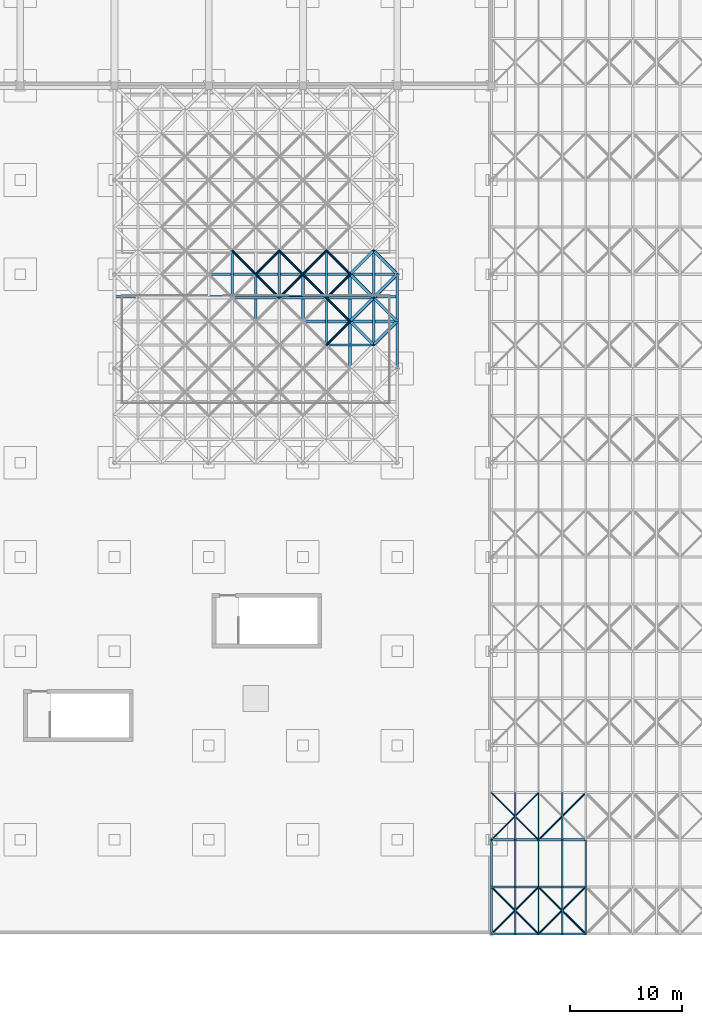
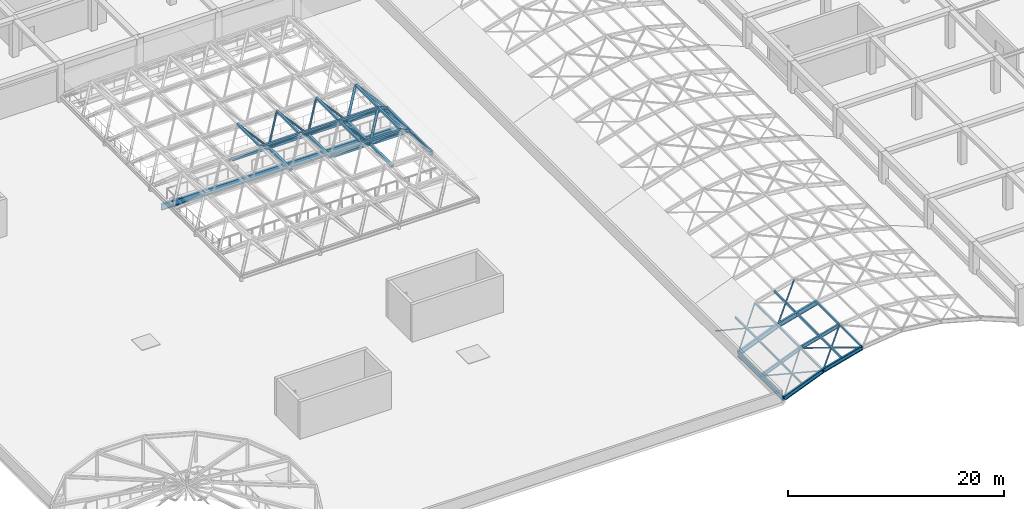
# One storey, part 17 of 85: 65 members, 3 beams.
"""IFC4 building model written with IfcOpenShell, lengths in metres."""

from ifc_helpers import new_model, si_unit, direction, frame, origin, origin_2d, place, context, subcontext, project, spatial, hollow_rectangle, hollow_circle, i_section, extrude, material, material_profile, profile_set, type_object, element, save


model = new_model("IFC4")

# Units and contexts
model_context = context("Model", 3, precision=1e-05, world=origin(), true_north=direction((0.0, 1.0)))
body_context = subcontext(model_context, "Body", "Model", "MODEL_VIEW")
ifc_project = project(units=[si_unit("LENGTHUNIT", "METRE"), si_unit("AREAUNIT", "SQUARE_METRE"), si_unit("VOLUMEUNIT", "CUBIC_METRE"), si_unit("PLANEANGLEUNIT", "RADIAN"), si_unit("MASSUNIT", "GRAM", prefix="KILO")], contexts=[model_context])

# Site, building, storey
site_placement = place(None, origin())
site = spatial("IfcSite", under=ifc_project, at=site_placement, CompositionType="ELEMENT")
building_placement = place(site_placement, origin())
building = spatial("IfcBuilding", under=site, at=building_placement, Name="Almacenes y Pasaje Nevantli", CompositionType="ELEMENT")
storey_placement = place(building_placement, frame((0.0, 0.0, 22.199951171875)))
storey = spatial("IfcBuildingStorey", under=building, at=storey_placement, Name="L05", CompositionType="ELEMENT", Elevation=22.199951171875)

# Beams
ifc_material_1 = material(Name="Steel ASTM A992", Category="steel")
ifc_material_profile_1 = material_profile(ifc_material_1, i_section(OverallWidth=0.193115234375, OverallDepth=0.4599609375, WebThickness=0.011474609375, FlangeThickness=0.01904296875, at=origin_2d()), Name="IR 457x96.7")
ifc_profile_set_1 = profile_set([ifc_material_profile_1], Name="Steel ASTM A992")
beam_type_1 = type_object("IfcBeamType", Name="BM-STL-IR-457x96p7", PredefinedType="BEAM", material=ifc_profile_set_1)
beam_1_placement = place(storey_placement, frame((58.800048828125, 50.39990234375, 0.449951171875), z_axis=(0.0, 1.0, 0.0), x_axis=(-1.0, 0.0, 0.0)))
element("IfcBeam", 1, at=beam_1_placement, inside=storey, type_object=beam_type_1, Name="Atrium Skylight Perimeter Steel Eave Girder #6", PredefinedType="BEAM", context=body_context, shape_type="SweptSolid", body=[
    extrude(i_section(OverallWidth=0.193115234375, OverallDepth=0.4599609375, WebThickness=0.011474609375, FlangeThickness=0.01904296875, at=origin_2d()), origin(), (0.0, 0.0, 1.0), 8.400146484375),
])
ifc_material_2 = material(Name="Steel ASTM A992", Category="steel")
ifc_material_profile_2 = material_profile(ifc_material_2, i_section(OverallWidth=0.208984375, OverallDepth=0.532958984375, WebThickness=0.01025390625, FlangeThickness=0.015625, at=origin_2d()), Name="IR 533x92.5")
ifc_profile_set_2 = profile_set([ifc_material_profile_2], Name="Steel ASTM A992")
beam_type_2 = type_object("IfcBeamType", Name="BM-STL-IR-533x92p5", PredefinedType="BEAM", material=ifc_profile_set_2)
beam_2_placement = place(storey_placement, frame((67.199951171875, 0.0, 0.400146484375), z_axis=(0.0, 1.0, 0.0), x_axis=(-1.0, 0.0, 0.0)))
element("IfcBeam", 2, at=beam_2_placement, inside=storey, type_object=beam_type_2, Name="L05 Arcade Barrel Vault Eave Steel Girder #1.1", PredefinedType="BEAM", context=body_context, shape_type="SweptSolid", body=[
    extrude(i_section(OverallWidth=0.208984375, OverallDepth=0.532958984375, WebThickness=0.01025390625, FlangeThickness=0.015625, at=origin_2d()), origin(), (0.0, 0.0, 1.0), 8.39990234375),
])
ifc_material_3 = material(Name="Steel ASTM A992", Category="steel")
ifc_material_profile_3 = material_profile(ifc_material_3, i_section(OverallWidth=0.25390625, OverallDepth=0.68798828125, WebThickness=0.01318359375, FlangeThickness=0.02099609375, at=origin_2d()), Name="IR 686x152.0")
ifc_profile_set_3 = profile_set([ifc_material_profile_3], Name="Steel ASTM A992")
beam_type_3 = type_object("IfcBeamType", Name="BM-STL-IR-686x152p0", PredefinedType="BEAM", material=ifc_profile_set_3)
beam_3_placement = place(storey_placement, frame((33.60009765625, 56.800048828125, -0.65185546875), z_axis=(1.0, 0.0, 0.0), x_axis=(0.0, 1.0, 0.0)))
element("IfcBeam", 3, at=beam_3_placement, inside=storey, type_object=beam_type_3, Name="L05 Atrium Escalator Bridge and Trimmer Girder #2", PredefinedType="BEAM", context=body_context, shape_type="SweptSolid", body=[
    extrude(i_section(OverallWidth=0.25390625, OverallDepth=0.68798828125, WebThickness=0.01318359375, FlangeThickness=0.02099609375, at=origin_2d()), origin(), (0.0, 0.0, 1.0), 25.199951171875),
])

# Members
ifc_material_4 = material(Name="Steel ASTM A992", Category="steel")
ifc_material_profile_4 = material_profile(ifc_material_4, i_section(OverallWidth=0.180908203125, OverallDepth=0.406005859375, WebThickness=0.010986328125, FlangeThickness=0.018310546875, at=origin_2d()), Name="IR 406x85.0")
ifc_profile_set_4 = profile_set([ifc_material_profile_4], Name="Steel ASTM A992")
member_type_1 = type_object("IfcMemberType", Name="MBR-ARCH-IR406x85", PredefinedType="USERDEFINED", material=ifc_profile_set_4)
member_1_placement = place(storey_placement, frame((67.199951171875, 4.199951171875, 0.400146484375), z_axis=(0.926949044115, 0.0, 0.375187246072), x_axis=(0.0, 1.0, 0.0)))
element("IfcMember", 4, at=member_1_placement, inside=storey, type_object=member_type_1, Name="Arcade Barrel Vault Steel Arch Rib 2.1", ObjectType="ARCH RIB", PredefinedType="USERDEFINED", context=body_context, shape_type="SweptSolid", body=[
    extrude(i_section(OverallWidth=0.180908203125, OverallDepth=0.406005859375, WebThickness=0.010986328125, FlangeThickness=0.018310546875, at=origin_2d()), origin(), (0.0, 0.0, 1.0), 4.531005859375),
])
member_2_placement = place(storey_placement, frame((71.39990234375, 4.199951171875, 2.10009765625), z_axis=(0.964507199401, 0.0, 0.264056551336), x_axis=(0.0, 1.0, 0.0)))
element("IfcMember", 5, at=member_2_placement, inside=storey, type_object=member_type_1, Name="Arcade Barrel Vault Steel Arch Rib 2.2", ObjectType="ARCH RIB", PredefinedType="USERDEFINED", context=body_context, shape_type="SweptSolid", body=[
    extrude(i_section(OverallWidth=0.180908203125, OverallDepth=0.406005859375, WebThickness=0.010986328125, FlangeThickness=0.018310546875, at=origin_2d()), origin(), (0.0, 0.0, 1.0), 4.354736328125),
])
ifc_material_5 = material(Name="Steel ASTM A992", Category="steel")
ifc_material_profile_5 = material_profile(ifc_material_5, i_section(OverallWidth=0.193115234375, OverallDepth=0.4599609375, WebThickness=0.011474609375, FlangeThickness=0.01904296875, at=origin_2d()), Name="IR 457x96.7")
ifc_profile_set_5 = profile_set([ifc_material_profile_5], Name="Steel ASTM A992")
member_type_2 = type_object("IfcMemberType", Name="MBR-ARCH-IR457x96", PredefinedType="USERDEFINED", material=ifc_profile_set_5)
member_3_placement = place(storey_placement, frame((67.199951171875, 0.0, 0.400146484375), z_axis=(0.926949044115, 0.0, 0.375187246072), x_axis=(0.0, 1.0, 0.0)))
element("IfcMember", 6, at=member_3_placement, inside=storey, type_object=member_type_2, Name="Arcade Barrel Vault Steel Arch Rib 1.1", ObjectType="ARCH RIB", PredefinedType="USERDEFINED", context=body_context, shape_type="SweptSolid", body=[
    extrude(i_section(OverallWidth=0.193115234375, OverallDepth=0.4599609375, WebThickness=0.011474609375, FlangeThickness=0.01904296875, at=origin_2d()), origin(), (0.0, 0.0, 1.0), 4.531005859375),
])
member_4_placement = place(storey_placement, frame((71.39990234375, 0.0, 2.10009765625), z_axis=(0.964507199401, 0.0, 0.264056551336), x_axis=(0.0, 1.0, 0.0)))
element("IfcMember", 7, at=member_4_placement, inside=storey, type_object=member_type_2, Name="Arcade Barrel Vault Steel Arch Rib 1.2", ObjectType="ARCH RIB", PredefinedType="USERDEFINED", context=body_context, shape_type="SweptSolid", body=[
    extrude(i_section(OverallWidth=0.193115234375, OverallDepth=0.4599609375, WebThickness=0.011474609375, FlangeThickness=0.01904296875, at=origin_2d()), origin(), (0.0, 0.0, 1.0), 4.354736328125),
])
ifc_material_6 = material(Name="Steel ASTM A992", Category="steel")
ifc_material_profile_6 = material_profile(ifc_material_6, i_section(OverallWidth=0.208984375, OverallDepth=0.532958984375, WebThickness=0.01025390625, FlangeThickness=0.015625, at=origin_2d()), Name="IR 533x92.5")
ifc_profile_set_6 = profile_set([ifc_material_profile_6], Name="Steel ASTM A992")
member_type_3 = type_object("IfcMemberType", Name="MBR-ARCH-IR533x92", PredefinedType="USERDEFINED", material=ifc_profile_set_6)
member_5_placement = place(storey_placement, frame((67.199951171875, 8.39990234375, 0.400146484375), z_axis=(0.926949044115, 0.0, 0.375187246072), x_axis=(0.0, 1.0, 0.0)))
element("IfcMember", 8, at=member_5_placement, inside=storey, type_object=member_type_3, Name="Arcade Barrel Vault Steel Arch Rib 3.1", ObjectType="ARCH RIB", PredefinedType="USERDEFINED", context=body_context, shape_type="SweptSolid", body=[
    extrude(i_section(OverallWidth=0.208984375, OverallDepth=0.532958984375, WebThickness=0.01025390625, FlangeThickness=0.015625, at=origin_2d()), origin(), (0.0, 0.0, 1.0), 4.531005859375),
])
member_6_placement = place(storey_placement, frame((71.39990234375, 8.39990234375, 2.10009765625), z_axis=(0.964507199401, 0.0, 0.264056551336), x_axis=(0.0, 1.0, 0.0)))
element("IfcMember", 9, at=member_6_placement, inside=storey, type_object=member_type_3, Name="Arcade Barrel Vault Steel Arch Rib 3.2", ObjectType="ARCH RIB", PredefinedType="USERDEFINED", context=body_context, shape_type="SweptSolid", body=[
    extrude(i_section(OverallWidth=0.208984375, OverallDepth=0.532958984375, WebThickness=0.01025390625, FlangeThickness=0.015625, at=origin_2d()), origin(), (0.0, 0.0, 1.0), 4.354736328125),
])
ifc_material_7 = material(Name="Steel ASTM A500 Grade C", Category="steel")
ifc_material_profile_7 = material_profile(ifc_material_7, hollow_circle(Radius=0.070556640625, WallThickness=0.006591796875, at=origin_2d()), Name="OC 141x6.6")
ifc_profile_set_7 = profile_set([ifc_material_profile_7], Name="Steel ASTM A500 Grade C")
member_type_4 = type_object("IfcMemberType", Name="MBR-BRC-OC141", PredefinedType="BRACE", material=ifc_profile_set_7)
for number, where, z_axis, x_axis, name in (
    (10, (67.199951171875, 0.0, 0.400146484375), (0.679811915702, 0.679811915702, 0.275157261468), (-0.707106781187, 0.707106781187, 0.0), "Arcade Barrel Vault Wind Brace 1.1A"),
    (11, (71.39990234375, 0.0, 2.10009765625), (-0.679811915702, 0.679811915702, -0.275157261468), (-0.707106781187, -0.707106781187, 0.0), "Arcade Barrel Vault Wind Brace 1.1B"),
    (12, (67.199951171875, 8.39990234375, 0.400146484375), (0.679793653327, 0.679833169322, 0.275149869681), (-0.707127332136, 0.70708622964, 0.0), "Arcade Barrel Vault Wind Brace 3.1A"),
    (13, (71.39990234375, 8.39990234375, 2.10009765625), (-0.679793653327, 0.679833169322, -0.275149869681), (-0.707127332136, -0.70708622964, 0.0), "Arcade Barrel Vault Wind Brace 3.1B"),
):
    element("IfcMember", number, at=place(storey_placement, frame(where, z_axis=z_axis, x_axis=x_axis)), inside=storey, type_object=member_type_4, Name=name, PredefinedType="BRACE", context=body_context, shape_type="SweptSolid", body=[
        extrude(hollow_circle(Radius=0.070556640625, WallThickness=0.006591796875, at=origin_2d()), origin(), (0.0, 0.0, 1.0), 6.17822265625),
    ])
ifc_material_8 = material(Name="Steel ASTM A500 Grade C", Category="steel")
ifc_material_profile_8 = material_profile(ifc_material_8, hollow_circle(Radius=0.084228515625, WallThickness=0.007080078125, at=origin_2d()), Name="OC 168x7.1")
ifc_profile_set_8 = profile_set([ifc_material_profile_8], Name="Steel ASTM A500 Grade C")
member_type_5 = type_object("IfcMemberType", Name="MBR-BRC-OC168", PredefinedType="BRACE", material=ifc_profile_set_8)
for number, where, z_axis, x_axis, name in (
    (14, (71.39990234375, 0.0, 2.10009765625), (0.694237619642, 0.694197266374, 0.19006389145), (-0.70708622964, 0.707127332136, 0.0), "Arcade Barrel Vault Wind Brace 1.2A"),
    (15, (75.60009765625, 0.0, 3.25), (-0.694237619642, 0.694197266374, -0.19006389145), (-0.70708622964, -0.707127332136, 0.0), "Arcade Barrel Vault Wind Brace 1.2B"),
):
    element("IfcMember", number, at=place(storey_placement, frame(where, z_axis=z_axis, x_axis=x_axis)), inside=storey, type_object=member_type_5, Name=name, PredefinedType="BRACE", context=body_context, shape_type="SweptSolid", body=[
        extrude(hollow_circle(Radius=0.084228515625, WallThickness=0.007080078125, at=origin_2d()), origin(), (0.0, 0.0, 1.0), 6.050048828125),
    ])
member_7_placement = place(storey_placement, frame((71.39990234375, 8.39990234375, 2.10009765625), z_axis=(0.694218172126, 0.694218172126, 0.190058567235), x_axis=(-0.707106781187, 0.707106781187, 0.0)))
element("IfcMember", 16, at=member_7_placement, inside=storey, type_object=member_type_5, Name="Arcade Barrel Vault Wind Brace 3.2A", PredefinedType="BRACE", context=body_context, shape_type="SweptSolid", body=[
    extrude(hollow_circle(Radius=0.084228515625, WallThickness=0.007080078125, at=origin_2d()), origin(), (0.0, 0.0, 1.0), 6.05029296875),
])
ifc_material_9 = material(Name="Steel ASTM A500 Grade C", Category="steel")
ifc_material_profile_9 = material_profile(ifc_material_9, hollow_circle(Radius=0.109619140625, WallThickness=0.00830078125, at=origin_2d()), Name="OC 219x8.2")
ifc_profile_set_9 = profile_set([ifc_material_profile_9], Name="Steel ASTM A500 Grade C")
member_type_6 = type_object("IfcMemberType", Name="MBR-BRC-OC219", PredefinedType="BRACE", material=ifc_profile_set_9)
member_8_placement = place(storey_placement, frame((46.199951171875, 58.800048828125, 0.449951171875), z_axis=(-0.577327893874, 0.577327893874, 0.577395017219), x_axis=(-0.707106781187, -0.707106781187, 0.0)))
element("IfcMember", 17, at=member_8_placement, inside=storey, type_object=member_type_6, Name="Atrium Skylight Space Frame Diagonal Web #230", PredefinedType="BRACE", context=body_context, shape_type="SweptSolid", body=[
    extrude(hollow_circle(Radius=0.109619140625, WallThickness=0.00830078125, at=origin_2d()), origin(), (0.0, 0.0, 1.0), 3.63720703125),
])
for number, where, z_axis, x_axis, name in (
    (18, (50.39990234375, 58.800048828125, 0.449951171875), (-0.57730552116, -0.577372641904, 0.577372641904), (0.707147883682, -0.707065676302, 0.0), "Atrium Skylight Space Frame Diagonal Web #272"),
    (19, (46.199951171875, 58.800048828125, 0.449951171875), (0.57735026919, -0.57735026919, 0.57735026919), (0.707106781187, 0.707106781187, 0.0), "Atrium Skylight Space Frame Diagonal Web #273"),
    (20, (46.199951171875, 58.800048828125, 0.449951171875), (0.577372641904, 0.57730552116, 0.577372641904), (-0.707065676302, 0.707147883682, 0.0), "Atrium Skylight Space Frame Diagonal Web #276"),
):
    element("IfcMember", number, at=place(storey_placement, frame(where, z_axis=z_axis, x_axis=x_axis)), inside=storey, type_object=member_type_6, Name=name, PredefinedType="BRACE", context=body_context, shape_type="SweptSolid", body=[
        extrude(hollow_circle(Radius=0.109619140625, WallThickness=0.00830078125, at=origin_2d()), origin(), (0.0, 0.0, 1.0), 3.637451171875),
    ])
member_9_placement = place(storey_placement, frame((50.39990234375, 58.800048828125, 0.449951171875), z_axis=(-0.577327893874, 0.577327893874, 0.577395017219), x_axis=(-0.707106781187, -0.707106781187, 0.0)))
element("IfcMember", 21, at=member_9_placement, inside=storey, type_object=member_type_6, Name="Atrium Skylight Space Frame Diagonal Web #277", PredefinedType="BRACE", context=body_context, shape_type="SweptSolid", body=[
    extrude(hollow_circle(Radius=0.109619140625, WallThickness=0.00830078125, at=origin_2d()), origin(), (0.0, 0.0, 1.0), 3.63720703125),
])
for number, where, z_axis, x_axis, name in (
    (22, (54.60009765625, 54.60009765625, 0.449951171875), (-0.57735026919, -0.57735026919, 0.57735026919), (0.707106781187, -0.707106781187, 0.0), "Atrium Skylight Space Frame Diagonal Web #313"),
    (23, (54.60009765625, 54.60009765625, 0.449951171875), (-0.577372641904, 0.57730552116, 0.577372641904), (-0.707065676302, -0.707147883682, 0.0), "Atrium Skylight Space Frame Diagonal Web #318"),
    (24, (54.60009765625, 58.800048828125, 0.449951171875), (-0.57735026919, -0.57735026919, 0.57735026919), (0.707106781187, -0.707106781187, 0.0), "Atrium Skylight Space Frame Diagonal Web #319"),
    (25, (50.39990234375, 58.800048828125, 0.449951171875), (0.57735026919, -0.57735026919, 0.57735026919), (0.707106781187, 0.707106781187, 0.0), "Atrium Skylight Space Frame Diagonal Web #320"),
    (26, (50.39990234375, 58.800048828125, 0.449951171875), (0.577372641904, 0.57730552116, 0.577372641904), (-0.707065676302, 0.707147883682, 0.0), "Atrium Skylight Space Frame Diagonal Web #323"),
    (27, (54.60009765625, 58.800048828125, 0.449951171875), (-0.577372641904, 0.57730552116, 0.577372641904), (-0.707065676302, -0.707147883682, 0.0), "Atrium Skylight Space Frame Diagonal Web #324"),
):
    element("IfcMember", number, at=place(storey_placement, frame(where, z_axis=z_axis, x_axis=x_axis)), inside=storey, type_object=member_type_6, Name=name, PredefinedType="BRACE", context=body_context, shape_type="SweptSolid", body=[
        extrude(hollow_circle(Radius=0.109619140625, WallThickness=0.00830078125, at=origin_2d()), origin(), (0.0, 0.0, 1.0), 3.637451171875),
    ])
ifc_material_10 = material(Name="Steel ASTM A500 Grade C", Category="steel")
ifc_material_profile_10 = material_profile(ifc_material_10, hollow_circle(Radius=0.136474609375, WallThickness=0.00927734375, at=origin_2d()), Name="OC 273x9.3")
ifc_profile_set_10 = profile_set([ifc_material_profile_10], Name="Steel ASTM A500 Grade C")
member_type_7 = type_object("IfcMemberType", Name="MBR-BRC-OC273", PredefinedType="BRACE", material=ifc_profile_set_10)
for number, where, z_axis, x_axis, name in (
    (28, (58.800048828125, 54.60009765625, 0.449951171875), (-0.57735026919, -0.57735026919, 0.57735026919), (0.707106781187, -0.707106781187, 0.0), "Atrium Skylight Space Frame Diagonal Web #358"),
    (29, (54.60009765625, 54.60009765625, 0.449951171875), (0.57730552116, -0.577372641904, 0.577372641904), (0.707147883682, 0.707065676302, 0.0), "Atrium Skylight Space Frame Diagonal Web #359"),
):
    element("IfcMember", number, at=place(storey_placement, frame(where, z_axis=z_axis, x_axis=x_axis)), inside=storey, type_object=member_type_7, Name=name, PredefinedType="BRACE", context=body_context, shape_type="SweptSolid", body=[
        extrude(hollow_circle(Radius=0.136474609375, WallThickness=0.00927734375, at=origin_2d()), origin(), (0.0, 0.0, 1.0), 3.637451171875),
    ])
member_10_placement = place(storey_placement, frame((54.60009765625, 54.60009765625, 0.449951171875), z_axis=(0.577327893874, 0.577327893874, 0.577395017219), x_axis=(-0.707106781187, 0.707106781187, 0.0)))
element("IfcMember", 30, at=member_10_placement, inside=storey, type_object=member_type_7, Name="Atrium Skylight Space Frame Diagonal Web #361", PredefinedType="BRACE", context=body_context, shape_type="SweptSolid", body=[
    extrude(hollow_circle(Radius=0.136474609375, WallThickness=0.00927734375, at=origin_2d()), origin(), (0.0, 0.0, 1.0), 3.63720703125),
])
for number, where, z_axis, x_axis, name in (
    (31, (58.800048828125, 54.60009765625, 0.449951171875), (-0.577372641904, 0.57730552116, 0.577372641904), (-0.707065676302, -0.707147883682, 0.0), "Atrium Skylight Space Frame Diagonal Web #362"),
    (32, (58.800048828125, 58.800048828125, 0.449951171875), (-0.57735026919, -0.57735026919, 0.57735026919), (0.707106781187, -0.707106781187, 0.0), "Atrium Skylight Space Frame Diagonal Web #363"),
    (33, (54.60009765625, 58.800048828125, 0.449951171875), (0.57730552116, -0.577372641904, 0.577372641904), (0.707147883682, 0.707065676302, 0.0), "Atrium Skylight Space Frame Diagonal Web #364"),
):
    element("IfcMember", number, at=place(storey_placement, frame(where, z_axis=z_axis, x_axis=x_axis)), inside=storey, type_object=member_type_7, Name=name, PredefinedType="BRACE", context=body_context, shape_type="SweptSolid", body=[
        extrude(hollow_circle(Radius=0.136474609375, WallThickness=0.00927734375, at=origin_2d()), origin(), (0.0, 0.0, 1.0), 3.637451171875),
    ])
member_11_placement = place(storey_placement, frame((54.60009765625, 58.800048828125, 0.449951171875), z_axis=(0.577327893874, 0.577327893874, 0.577395017219), x_axis=(-0.707106781187, 0.707106781187, 0.0)))
element("IfcMember", 34, at=member_11_placement, inside=storey, type_object=member_type_7, Name="Atrium Skylight Space Frame Diagonal Web #366", PredefinedType="BRACE", context=body_context, shape_type="SweptSolid", body=[
    extrude(hollow_circle(Radius=0.136474609375, WallThickness=0.00927734375, at=origin_2d()), origin(), (0.0, 0.0, 1.0), 3.63720703125),
])
member_12_placement = place(storey_placement, frame((58.800048828125, 58.800048828125, 0.449951171875), z_axis=(-0.577372641904, 0.57730552116, 0.577372641904), x_axis=(-0.707065676302, -0.707147883682, 0.0)))
element("IfcMember", 35, at=member_12_placement, inside=storey, type_object=member_type_7, Name="Atrium Skylight Space Frame Diagonal Web #367", PredefinedType="BRACE", context=body_context, shape_type="SweptSolid", body=[
    extrude(hollow_circle(Radius=0.136474609375, WallThickness=0.00927734375, at=origin_2d()), origin(), (0.0, 0.0, 1.0), 3.637451171875),
])
ifc_material_11 = material(Name="Steel ASTM A500 Grade C", Category="steel")
ifc_material_profile_11 = material_profile(ifc_material_11, hollow_rectangle(XDim=0.203125, YDim=0.203125, WallThickness=0.009521484375, at=origin_2d()), Name="OR 203x203x9.5")
ifc_profile_set_11 = profile_set([ifc_material_profile_11], Name="Steel ASTM A500 Grade C")
member_type_8 = type_object("IfcMemberType", Name="MBR-BRC-OR203", PredefinedType="BRACE", material=ifc_profile_set_11)
for number, where, z_axis, x_axis, name in (
    (36, (44.10009765625, 56.699951171875, 2.550048828125), (1.0, 0.0, 0.0), (0.0, 1.0, 0.0), "Atrium Skylight Space Frame Top Chord X #227"),
    (37, (44.10009765625, 56.699951171875, 2.550048828125), (0.0, 1.0, 0.0), (-1.0, 0.0, 0.0), "Atrium Skylight Space Frame Top Chord Y #228"),
    (38, (48.300048828125, 56.699951171875, 2.550048828125), (1.0, 0.0, 0.0), (0.0, 1.0, 0.0), "Atrium Skylight Space Frame Top Chord X #274"),
    (39, (48.300048828125, 56.699951171875, 2.550048828125), (0.0, 1.0, 0.0), (-1.0, 0.0, 0.0), "Atrium Skylight Space Frame Top Chord Y #275"),
    (40, (52.5, 52.5, 2.550048828125), (1.0, 0.0, 0.0), (0.0, 1.0, 0.0), "Atrium Skylight Space Frame Top Chord X #315"),
    (41, (52.5, 52.5, 2.550048828125), (0.0, 1.0, 0.0), (-1.0, 0.0, 0.0), "Atrium Skylight Space Frame Top Chord Y #316"),
    (42, (52.5, 56.699951171875, 2.550048828125), (1.0, 0.0, 0.0), (0.0, 1.0, 0.0), "Atrium Skylight Space Frame Top Chord X #321"),
    (43, (52.5, 56.699951171875, 2.550048828125), (0.0, 1.0, 0.0), (-1.0, 0.0, 0.0), "Atrium Skylight Space Frame Top Chord Y #322"),
    (44, (56.699951171875, 52.5, 2.550048828125), (0.0, 1.0, 0.0), (-1.0, 0.0, 0.0), "Atrium Skylight Space Frame Top Chord Y #360"),
    (45, (56.699951171875, 56.699951171875, 2.550048828125), (0.0, 1.0, 0.0), (-1.0, 0.0, 0.0), "Atrium Skylight Space Frame Top Chord Y #365"),
):
    element("IfcMember", number, at=place(storey_placement, frame(where, z_axis=z_axis, x_axis=x_axis)), inside=storey, type_object=member_type_8, Name=name, PredefinedType="BRACE", context=body_context, shape_type="SweptSolid", body=[
        extrude(hollow_rectangle(XDim=0.203125, YDim=0.203125, WallThickness=0.009521484375, at=origin_2d()), origin(), (0.0, 0.0, 1.0), 4.199951171875),
    ])
ifc_material_12 = material(Name="Steel ASTM A500 Grade C", Category="steel")
ifc_material_profile_12 = material_profile(ifc_material_12, hollow_rectangle(XDim=0.25390625, YDim=0.25390625, WallThickness=0.009521484375, at=origin_2d()), Name="OR 254x254x9.5")
ifc_profile_set_12 = profile_set([ifc_material_profile_12], Name="Steel ASTM A500 Grade C")
member_type_9 = type_object("IfcMemberType", Name="MBR-BRC-OR254", PredefinedType="BRACE", material=ifc_profile_set_12)
for number, where, z_axis, x_axis, name in (
    (46, (46.199951171875, 54.60009765625, 0.449951171875), (0.0, 1.0, 0.0), (-1.0, 0.0, 0.0), "Atrium Skylight Space Frame Bottom Chord #28"),
    (47, (50.39990234375, 54.60009765625, 0.449951171875), (0.0, 1.0, 0.0), (-1.0, 0.0, 0.0), "Atrium Skylight Space Frame Bottom Chord #36"),
):
    element("IfcMember", number, at=place(storey_placement, frame(where, z_axis=z_axis, x_axis=x_axis)), inside=storey, type_object=member_type_9, Name=name, PredefinedType="BRACE", context=body_context, shape_type="SweptSolid", body=[
        extrude(hollow_rectangle(XDim=0.25390625, YDim=0.25390625, WallThickness=0.009521484375, at=origin_2d()), origin(), (0.0, 0.0, 1.0), 4.199951171875),
    ])
member_13_placement = place(storey_placement, frame((54.60009765625, 50.39990234375, 0.449951171875), z_axis=(0.0, 1.0, 0.0), x_axis=(-1.0, 0.0, 0.0)))
element("IfcMember", 48, at=member_13_placement, inside=storey, type_object=member_type_9, Name="Atrium Skylight Space Frame Bottom Chord #43", PredefinedType="BRACE", context=body_context, shape_type="SweptSolid", body=[
    extrude(hollow_rectangle(XDim=0.25390625, YDim=0.25390625, WallThickness=0.009521484375, at=origin_2d()), origin(), (0.0, 0.0, 1.0), 4.2001953125),
])
member_14_placement = place(storey_placement, frame((54.60009765625, 54.60009765625, 0.449951171875), z_axis=(0.0, 1.0, 0.0), x_axis=(-1.0, 0.0, 0.0)))
element("IfcMember", 49, at=member_14_placement, inside=storey, type_object=member_type_9, Name="Atrium Skylight Space Frame Bottom Chord #44", PredefinedType="BRACE", context=body_context, shape_type="SweptSolid", body=[
    extrude(hollow_rectangle(XDim=0.25390625, YDim=0.25390625, WallThickness=0.009521484375, at=origin_2d()), origin(), (0.0, 0.0, 1.0), 4.199951171875),
])
member_15_placement = place(storey_placement, frame((58.800048828125, 50.39990234375, 0.449951171875), z_axis=(0.0, 1.0, 0.0), x_axis=(-1.0, 0.0, 0.0)))
element("IfcMember", 50, at=member_15_placement, inside=storey, type_object=member_type_9, Name="Atrium Skylight Space Frame Bottom Chord #51", PredefinedType="BRACE", context=body_context, shape_type="SweptSolid", body=[
    extrude(hollow_rectangle(XDim=0.25390625, YDim=0.25390625, WallThickness=0.009521484375, at=origin_2d()), origin(), (0.0, 0.0, 1.0), 4.2001953125),
])
member_16_placement = place(storey_placement, frame((58.800048828125, 54.60009765625, 0.449951171875), z_axis=(0.0, 1.0, 0.0), x_axis=(-1.0, 0.0, 0.0)))
element("IfcMember", 51, at=member_16_placement, inside=storey, type_object=member_type_9, Name="Atrium Skylight Space Frame Bottom Chord #52", PredefinedType="BRACE", context=body_context, shape_type="SweptSolid", body=[
    extrude(hollow_rectangle(XDim=0.25390625, YDim=0.25390625, WallThickness=0.009521484375, at=origin_2d()), origin(), (0.0, 0.0, 1.0), 4.199951171875),
])
member_17_placement = place(storey_placement, frame((50.39990234375, 54.60009765625, 0.449951171875), z_axis=(1.0, 0.0, 0.0), x_axis=(0.0, 1.0, 0.0)))
element("IfcMember", 52, at=member_17_placement, inside=storey, type_object=member_type_9, Name="Atrium Skylight Space Frame Bottom Cross Chord #79", PredefinedType="BRACE", context=body_context, shape_type="SweptSolid", body=[
    extrude(hollow_rectangle(XDim=0.25390625, YDim=0.25390625, WallThickness=0.009521484375, at=origin_2d()), origin(), (0.0, 0.0, 1.0), 4.2001953125),
])
for number, where, z_axis, x_axis, name in (
    (53, (54.60009765625, 54.60009765625, 0.449951171875), (1.0, 0.0, 0.0), (0.0, 1.0, 0.0), "Atrium Skylight Space Frame Bottom Cross Chord #80"),
    (54, (42.0, 58.800048828125, 0.449951171875), (1.0, 0.0, 0.0), (0.0, 1.0, 0.0), "Atrium Skylight Space Frame Bottom Cross Chord #83"),
    (55, (46.199951171875, 58.800048828125, 0.449951171875), (1.0, 0.0, 0.0), (0.0, 1.0, 0.0), "Atrium Skylight Space Frame Bottom Cross Chord #84"),
):
    element("IfcMember", number, at=place(storey_placement, frame(where, z_axis=z_axis, x_axis=x_axis)), inside=storey, type_object=member_type_9, Name=name, PredefinedType="BRACE", context=body_context, shape_type="SweptSolid", body=[
        extrude(hollow_rectangle(XDim=0.25390625, YDim=0.25390625, WallThickness=0.009521484375, at=origin_2d()), origin(), (0.0, 0.0, 1.0), 4.199951171875),
    ])
member_18_placement = place(storey_placement, frame((50.39990234375, 58.800048828125, 0.449951171875), z_axis=(1.0, 0.0, 0.0), x_axis=(0.0, 1.0, 0.0)))
element("IfcMember", 56, at=member_18_placement, inside=storey, type_object=member_type_9, Name="Atrium Skylight Space Frame Bottom Cross Chord #85", PredefinedType="BRACE", context=body_context, shape_type="SweptSolid", body=[
    extrude(hollow_rectangle(XDim=0.25390625, YDim=0.25390625, WallThickness=0.009521484375, at=origin_2d()), origin(), (0.0, 0.0, 1.0), 4.2001953125),
])
member_19_placement = place(storey_placement, frame((54.60009765625, 58.800048828125, 0.449951171875), z_axis=(1.0, 0.0, 0.0), x_axis=(0.0, 1.0, 0.0)))
element("IfcMember", 57, at=member_19_placement, inside=storey, type_object=member_type_9, Name="Atrium Skylight Space Frame Bottom Cross Chord #86", PredefinedType="BRACE", context=body_context, shape_type="SweptSolid", body=[
    extrude(hollow_rectangle(XDim=0.25390625, YDim=0.25390625, WallThickness=0.009521484375, at=origin_2d()), origin(), (0.0, 0.0, 1.0), 4.199951171875),
])
ifc_material_13 = material(Name="Steel ASTM A992", Category="steel")
ifc_material_profile_13 = material_profile(ifc_material_13, i_section(OverallWidth=0.134033203125, OverallDepth=0.2099609375, WebThickness=0.00634765625, FlangeThickness=0.01025390625, at=origin_2d()), Name="IR 203x31.3")
ifc_profile_set_13 = profile_set([ifc_material_profile_13], Name="Steel ASTM A992")
member_type_10 = type_object("IfcMemberType", Name="MBR-PUR-IR203x31", PredefinedType="PURLIN", material=ifc_profile_set_13)
for number, where, z_axis, x_axis, name in (
    (58, (69.300048828125, 0.0, 1.25), (0.0, 1.0, 0.0), (-1.0, 0.0, 0.0), "Arcade Barrel Vault Secondary Steel Purlin #6"),
    (59, (69.300048828125, 4.199951171875, 1.25), (0.0, 1.0, 0.0), (-1.0, 0.0, 0.0), "Arcade Barrel Vault Secondary Steel Purlin #17"),
):
    element("IfcMember", number, at=place(storey_placement, frame(where, z_axis=z_axis, x_axis=x_axis)), inside=storey, type_object=member_type_10, Name=name, PredefinedType="PURLIN", context=body_context, shape_type="SweptSolid", body=[
        extrude(i_section(OverallWidth=0.134033203125, OverallDepth=0.2099609375, WebThickness=0.00634765625, FlangeThickness=0.01025390625, at=origin_2d()), origin(), (0.0, 0.0, 1.0), 4.199951171875),
    ])
member_20_placement = place(storey_placement, frame((69.300048828125, 8.39990234375, 1.25), z_axis=(0.0, 1.0, 0.0), x_axis=(-1.0, 0.0, 0.0)))
element("IfcMember", 60, at=member_20_placement, inside=storey, type_object=member_type_10, Name="Arcade Barrel Vault Secondary Steel Purlin #28", PredefinedType="PURLIN", context=body_context, shape_type="SweptSolid", body=[
    extrude(i_section(OverallWidth=0.134033203125, OverallDepth=0.2099609375, WebThickness=0.00634765625, FlangeThickness=0.01025390625, at=origin_2d()), origin(), (0.0, 0.0, 1.0), 4.2001953125),
])
ifc_material_14 = material(Name="Steel ASTM A500 Grade C", Category="steel")
ifc_material_profile_14 = material_profile(ifc_material_14, hollow_rectangle(XDim=0.1015625, YDim=0.203125, WallThickness=0.0078125, at=origin_2d()), Name="OR 203x102x7.9")
ifc_profile_set_14 = profile_set([ifc_material_profile_14], Name="Steel ASTM A500 Grade C")
member_type_11 = type_object("IfcMemberType", Name="MBR-PUR-OR203x102", PredefinedType="PURLIN", material=ifc_profile_set_14)
for number, where, z_axis, x_axis, name in (
    (61, (71.39990234375, 0.0, 2.10009765625), (0.0, 1.0, 0.0), (-1.0, 0.0, 0.0), "Arcade Barrel Vault Steel Purlin #1"),
    (62, (71.39990234375, 4.199951171875, 2.10009765625), (0.0, 1.0, 0.0), (-1.0, 0.0, 0.0), "Arcade Barrel Vault Steel Purlin #12"),
):
    element("IfcMember", number, at=place(storey_placement, frame(where, z_axis=z_axis, x_axis=x_axis)), inside=storey, type_object=member_type_11, Name=name, PredefinedType="PURLIN", context=body_context, shape_type="SweptSolid", body=[
        extrude(hollow_rectangle(XDim=0.1015625, YDim=0.203125, WallThickness=0.0078125, at=origin_2d()), origin(), (0.0, 0.0, 1.0), 4.199951171875),
    ])
member_21_placement = place(storey_placement, frame((71.39990234375, 8.39990234375, 2.10009765625), z_axis=(0.0, 1.0, 0.0), x_axis=(-1.0, 0.0, 0.0)))
element("IfcMember", 63, at=member_21_placement, inside=storey, type_object=member_type_11, Name="Arcade Barrel Vault Steel Purlin #23", PredefinedType="PURLIN", context=body_context, shape_type="SweptSolid", body=[
    extrude(hollow_rectangle(XDim=0.1015625, YDim=0.203125, WallThickness=0.0078125, at=origin_2d()), origin(), (0.0, 0.0, 1.0), 4.2001953125),
])
ifc_material_15 = material(Name="Steel ASTM A500 Grade C", Category="steel")
ifc_material_profile_15 = material_profile(ifc_material_15, hollow_rectangle(XDim=0.15234375, YDim=0.203125, WallThickness=0.0078125, at=origin_2d()), Name="OR 203x152x7.9")
ifc_profile_set_15 = profile_set([ifc_material_profile_15], Name="Steel ASTM A500 Grade C")
member_type_12 = type_object("IfcMemberType", Name="MBR-PUR-OR203x152", PredefinedType="PURLIN", material=ifc_profile_set_15)
for number, where, z_axis, x_axis, name in (
    (64, (75.60009765625, 0.0, 3.25), (0.0, 1.0, 0.0), (-1.0, 0.0, 0.0), "Arcade Barrel Vault Steel Purlin #2"),
    (65, (75.60009765625, 4.199951171875, 3.25), (0.0, 1.0, 0.0), (-1.0, 0.0, 0.0), "Arcade Barrel Vault Steel Purlin #13"),
):
    element("IfcMember", number, at=place(storey_placement, frame(where, z_axis=z_axis, x_axis=x_axis)), inside=storey, type_object=member_type_12, Name=name, PredefinedType="PURLIN", context=body_context, shape_type="SweptSolid", body=[
        extrude(hollow_rectangle(XDim=0.15234375, YDim=0.203125, WallThickness=0.0078125, at=origin_2d()), origin(), (0.0, 0.0, 1.0), 4.199951171875),
    ])
ifc_material_16 = material(Name="Steel ASTM A500 Grade C", Category="steel")
ifc_material_profile_16 = material_profile(ifc_material_16, hollow_rectangle(XDim=0.15234375, YDim=0.25390625, WallThickness=0.009521484375, at=origin_2d()), Name="OR 254x152x9.5")
ifc_profile_set_16 = profile_set([ifc_material_profile_16], Name="Steel ASTM A500 Grade C")
member_type_13 = type_object("IfcMemberType", Name="MBR-PUR-OR254x152", PredefinedType="PURLIN", material=ifc_profile_set_16)
for number, where, z_axis, x_axis, name in (
    (66, (73.5, 0.0, 2.675048828125), (0.0, 1.0, 0.0), (-1.0, 0.0, 0.0), "Arcade Barrel Vault Secondary Steel Purlin #7"),
    (67, (73.5, 4.199951171875, 2.675048828125), (0.0, 1.0, 0.0), (-1.0, 0.0, 0.0), "Arcade Barrel Vault Secondary Steel Purlin #18"),
):
    element("IfcMember", number, at=place(storey_placement, frame(where, z_axis=z_axis, x_axis=x_axis)), inside=storey, type_object=member_type_13, Name=name, PredefinedType="PURLIN", context=body_context, shape_type="SweptSolid", body=[
        extrude(hollow_rectangle(XDim=0.15234375, YDim=0.25390625, WallThickness=0.009521484375, at=origin_2d()), origin(), (0.0, 0.0, 1.0), 4.199951171875),
    ])
member_22_placement = place(storey_placement, frame((73.5, 8.39990234375, 2.675048828125), z_axis=(0.0, 1.0, 0.0), x_axis=(-1.0, 0.0, 0.0)))
element("IfcMember", 68, at=member_22_placement, inside=storey, type_object=member_type_13, Name="Arcade Barrel Vault Secondary Steel Purlin #29", PredefinedType="PURLIN", context=body_context, shape_type="SweptSolid", body=[
    extrude(hollow_rectangle(XDim=0.15234375, YDim=0.25390625, WallThickness=0.009521484375, at=origin_2d()), origin(), (0.0, 0.0, 1.0), 4.2001953125),
])

save(model, "model.ifc")
